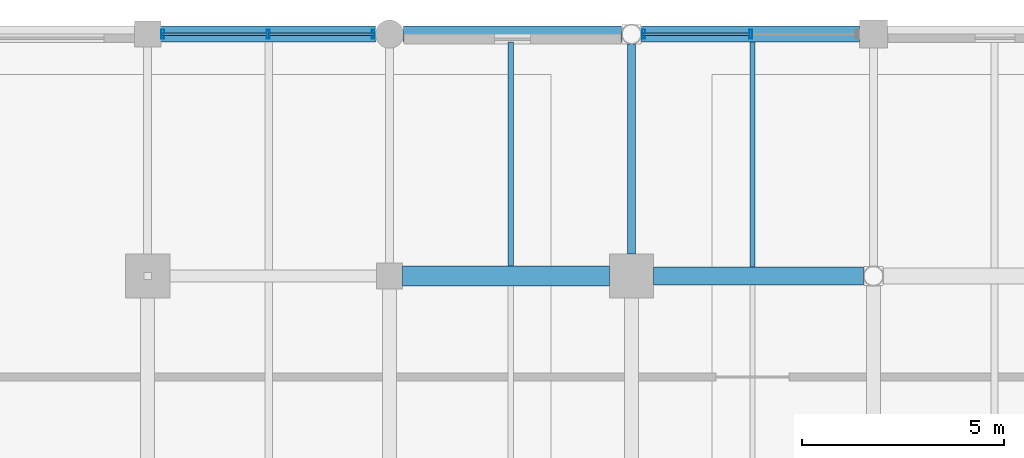
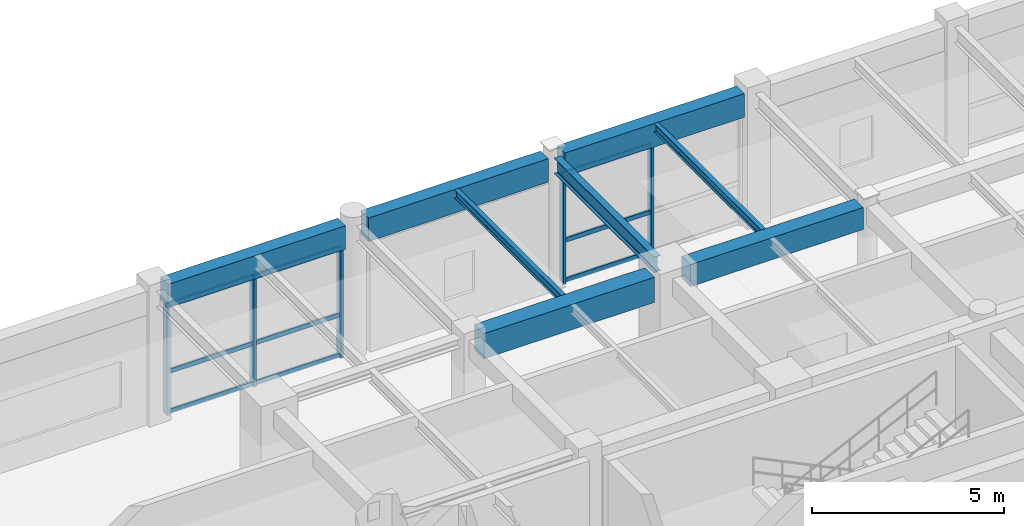
# One storey, part 44 of 116: 14 members, 8 beams, 2 elements without a shape of their own.
"""IFC4 building model written with IfcOpenShell, lengths in metres."""

import ifcopenshell
import ifcopenshell.guid

model = None  # the IFC model being written
_history = None  # IfcOwnerHistory: only IFC2X3 demands one
_inside = {}  # id of a spatial element -> (the spatial element, [elements in it])
_under = {}  # id of a project, library or spatial element -> (it, [spatial elements below it])
_declared = {}  # id of a project -> (the project, [libraries it declares])
_typed = {}  # id of a type object -> (the type object, [elements of that type])
_made_of = {}  # id of a material, layer set ... -> (it, [elements and type objects made of it])


def new_model(schema):
    """Start an empty IFC model of exactly this schema.

    Asked for "IFC4X3", IfcOpenShell would pick the latest addendum, in which some entities
    have other attributes; the version numbers below select the first issue.
    IFC2X3 requires an IfcOwnerHistory on every rooted entity: one is made here for all.
    """
    global model, _history
    if schema == "IFC4X3":
        model = ifcopenshell.file(schema_version=(4, 3, 0, 0))
    else:
        model = ifcopenshell.file(schema=schema)
    _inside.clear()
    _under.clear()
    _declared.clear()
    _typed.clear()
    _made_of.clear()
    _history = None
    if model.schema == "IFC2X3":
        org = make("IfcOrganization", Name="unknown")
        user = make(
            "IfcPersonAndOrganization",
            ThePerson=make("IfcPerson", FamilyName="unknown"),
            TheOrganization=org,
        )
        app = make(
            "IfcApplication",
            ApplicationDeveloper=org,
            Version="unknown",
            ApplicationFullName="unknown",
            ApplicationIdentifier="unknown",
        )
        _history = make(
            "IfcOwnerHistory",
            OwningUser=user,
            OwningApplication=app,
            ChangeAction="ADDED",
            CreationDate=0,
        )
    return model


def make(cls, **values):
    """One entity of the class cls with the attributes given. An attribute that is None is left unset."""
    return model.create_entity(
        cls, **{name: value for name, value in values.items() if value is not None}
    )


def rooted(cls, **values):
    """An entity with a GlobalId (a new one), such as an element, a storey or a relation."""
    return make(cls, GlobalId=ifcopenshell.guid.new(), OwnerHistory=_history, **values)


def si_unit(unit_type, name, prefix=None):
    """IfcSIUnit, for example si_unit("LENGTHUNIT", "METRE", prefix="MILLI")."""
    return make("IfcSIUnit", UnitType=unit_type, Prefix=prefix, Name=name)


def assignment(units):
    """IfcUnitAssignment: the units of a project."""
    return None if units is None else make("IfcUnitAssignment", Units=units)


def point(xyz):
    """IfcCartesianPoint."""
    return None if xyz is None else make("IfcCartesianPoint", Coordinates=xyz)


def direction(xyz):
    """IfcDirection."""
    return None if xyz is None else make("IfcDirection", DirectionRatios=xyz)


def frame(location, z_axis=None, x_axis=None):
    """IfcAxis2Placement3D, a coordinate frame: its origin and axes. An axis left out is left unset."""
    return make(
        "IfcAxis2Placement3D",
        Location=point(location),
        Axis=direction(z_axis),
        RefDirection=direction(x_axis),
    )


def frame_2d(location, x_axis=None):
    """IfcAxis2Placement2D, a coordinate frame in the plane: its origin and x axis."""
    return make(
        "IfcAxis2Placement2D", Location=point(location), RefDirection=direction(x_axis)
    )


def origin():
    """The frame at (0, 0, 0) with its axes left unset."""
    return frame((0.0, 0.0, 0.0))


def origin_2d():
    """The frame at (0, 0) in the plane with its x axis left unset."""
    return frame_2d((0.0, 0.0))


def place(relative_to, where):
    """IfcLocalPlacement: puts the frame where relative to a parent placement (None: the world)."""
    return make(
        "IfcLocalPlacement", PlacementRelTo=relative_to, RelativePlacement=where
    )


def context(
    kind, dimensions, precision=None, world=None, true_north=None, identifier=None
):
    """IfcGeometricRepresentationContext, for example the 3D "Model" context."""
    return make(
        "IfcGeometricRepresentationContext",
        ContextIdentifier=identifier,
        ContextType=kind,
        CoordinateSpaceDimension=dimensions,
        Precision=precision,
        WorldCoordinateSystem=world,
        TrueNorth=true_north,
    )


def subcontext(parent, identifier, kind, view, scale=None):
    """IfcGeometricRepresentationSubContext, for example "Body" below "Model"."""
    return make(
        "IfcGeometricRepresentationSubContext",
        ContextIdentifier=identifier,
        ContextType=kind,
        ParentContext=parent,
        TargetScale=scale,
        TargetView=view,
    )


def project(units=None, contexts=None):
    """IfcProject with its units and contexts."""
    return rooted(
        "IfcProject",
        Name="project",
        RepresentationContexts=contexts,
        UnitsInContext=assignment(units),
    )


def spatial(cls, under=None, at=None, **own):
    """A site, building, storey or space (cls), placed at a placement, below another one or the project."""
    s = rooted(cls, ObjectPlacement=at, **own)
    if under is not None:
        _under.setdefault(under.id(), (under, []))[1].append(s)
    return s


def profile(cls, at=None, kind="AREA", **sizes):
    """A parametric profile (cls). Its sizes go by their IFC names, for example OverallWidth=200.0."""
    return make(cls, ProfileType=kind, Position=at, **sizes)


def rectangle(**sizes):
    """IfcRectangleProfileDef."""
    return profile("IfcRectangleProfileDef", **sizes)


def hollow_rectangle(**sizes):
    """IfcRectangleHollowProfileDef."""
    return profile("IfcRectangleHollowProfileDef", **sizes)


def i_section(**sizes):
    """IfcIShapeProfileDef."""
    return profile("IfcIShapeProfileDef", **sizes)


def extrude(swept, where, along, depth):
    """IfcExtrudedAreaSolid: the profile swept, set in the frame where, extruded along a direction by depth."""
    return make(
        "IfcExtrudedAreaSolid",
        SweptArea=swept,
        Position=where,
        ExtrudedDirection=direction(along),
        Depth=depth,
    )


def shape(context_of_items, identifier, shape_type, items):
    """IfcShapeRepresentation: the items that make up one representation, for example the "Body"."""
    return make(
        "IfcShapeRepresentation",
        ContextOfItems=context_of_items,
        RepresentationIdentifier=identifier,
        RepresentationType=shape_type,
        Items=items,
    )


def material(Name=None, Category=None):
    """IfcMaterial."""
    return make("IfcMaterial", Name=Name, Category=Category)


def material_profile(
    of_material, cross_section, Name=None, Category=None, Priority=None
):
    """IfcMaterialProfile: a cross section and its material."""
    return make(
        "IfcMaterialProfile",
        Name=Name,
        Material=of_material,
        Profile=cross_section,
        Priority=Priority,
        Category=Category,
    )


def profile_set(profiles, Name=None, composite=None):
    """IfcMaterialProfileSet."""
    return make(
        "IfcMaterialProfileSet",
        Name=Name,
        MaterialProfiles=profiles,
        CompositeProfile=composite,
    )


def made_of(thing, what):
    """Note that an element or type object is made of a material, layer set ...; save() writes the relation."""
    if what is not None:
        _made_of.setdefault(what.id(), (what, []))[1].append(thing)
    return thing


def type_object(cls, material=None, **own):
    """A type object (cls), such as IfcWallType, which elements share."""
    return made_of(rooted(cls, **own), material)


def element(
    cls,
    number,
    at=None,
    inside=None,
    cuts=None,
    type_object=None,
    material=None,
    context=None,
    identifier="Body",
    shape_type=None,
    held_by="IfcProductDefinitionShape",
    body=None,
    shapes=None,
    **own,
):
    """One element of the class cls, such as IfcWall. Its Tag is "e" and its number.

    at: its placement. inside: the storey or other place that contains it. cuts: it is an
    opening in that element (IfcRelVoidsElement). A single representation is given by context,
    identifier, shape_type and body (its items); several are given by shapes. held_by: the class
    of the entity that holds the representations. save() writes the other relations.
    """
    e = rooted(cls, Tag="e%d" % number, ObjectPlacement=at, **own)
    if body is not None:
        shapes = [shape(context, identifier, shape_type, body)]
    if shapes is not None:
        e.Representation = make(held_by, Representations=shapes)
    if inside is not None:
        _inside.setdefault(inside.id(), (inside, []))[1].append(e)
    if cuts is not None:
        rooted(
            "IfcRelVoidsElement", RelatingBuildingElement=cuts, RelatedOpeningElement=e
        )
    if type_object is not None:
        _typed.setdefault(type_object.id(), (type_object, []))[1].append(e)
    return made_of(e, material)


def aggregate(whole, parts):
    """IfcRelAggregates: a whole, such as a stair, and the parts it consists of."""
    return rooted("IfcRelAggregates", RelatingObject=whole, RelatedObjects=parts)


def save(model, path):
    """Write the relations noted so far, then the file.

    IfcRelAggregates (storeys below a building ...), IfcRelContainedInSpatialStructure (elements
    in a storey), IfcRelDefinesByType, IfcRelAssociatesMaterial and IfcRelDeclares: one each for
    every whole, place, type object, material and project.
    """
    for whole, parts in _under.values():
        aggregate(whole, parts)
    for where, things in _inside.values():
        rooted(
            "IfcRelContainedInSpatialStructure",
            RelatedElements=things,
            RelatingStructure=where,
        )
    for kind, things in _typed.values():
        rooted("IfcRelDefinesByType", RelatedObjects=things, RelatingType=kind)
    for what, things in _made_of.values():
        rooted("IfcRelAssociatesMaterial", RelatedObjects=things, RelatingMaterial=what)
    for by, libraries in _declared.values():
        rooted("IfcRelDeclares", RelatingContext=by, RelatedDefinitions=libraries)
    model.write(path)


model = new_model("IFC4")

# Units and contexts
model_context = context("Model", 3, precision=1e-05, world=origin(), true_north=direction((0.0, 1.0)))
body_context = subcontext(model_context, "Body", "Model", "MODEL_VIEW")
ifc_project = project(units=[si_unit("LENGTHUNIT", "METRE"), si_unit("AREAUNIT", "SQUARE_METRE"), si_unit("VOLUMEUNIT", "CUBIC_METRE"), si_unit("PLANEANGLEUNIT", "RADIAN"), si_unit("MASSUNIT", "GRAM", prefix="KILO"), si_unit("THERMODYNAMICTEMPERATUREUNIT", "KELVIN"), si_unit("POWERUNIT", "WATT")], contexts=[model_context])

# Site, building, storey
site_placement = place(None, origin())
site = spatial("IfcSite", under=ifc_project, at=site_placement, CompositionType="ELEMENT")
building_placement = place(site_placement, origin())
building = spatial("IfcBuilding", under=site, at=building_placement, Name="Phaisarnlok Congress Hotel", CompositionType="ELEMENT")
storey_placement = place(building_placement, frame((0.0, 0.0, 10.5)))
storey = spatial("IfcBuildingStorey", under=building, at=storey_placement, Name="L02", CompositionType="ELEMENT", Elevation=10.5)

# Beams
ifc_material_1 = material(Name="Concrete C40/50", Category="concrete")
ifc_material_profile_1 = material_profile(ifc_material_1, rectangle(XDim=0.449951171875, YDim=0.699951171875, at=origin_2d()), Name="RC 450x700")
ifc_profile_set_1 = profile_set([ifc_material_profile_1], Name="Concrete C40/50")
beam_type_1 = type_object("IfcBeamType", Name="BM-RC-450x700", PredefinedType="BEAM", material=ifc_profile_set_1)
beam_1_placement = place(storey_placement, frame((108.544921875, 120.0, 3.889892578125), z_axis=(1.0, 0.0, 0.0), x_axis=(0.0, 1.0, 0.0)))
element("IfcBeam", 1, at=beam_1_placement, inside=storey, type_object=beam_type_1, Name="Beam B-03", PredefinedType="BEAM", context=body_context, shape_type="SweptSolid", body=[
    extrude(rectangle(XDim=0.449951171875, YDim=0.699951171875, at=origin_2d()), origin(), (0.0, 0.0, 1.0), 5.2060546875),
])
ifc_material_profile_2 = material_profile(ifc_material_1, rectangle(XDim=0.5, YDim=0.800048828125, at=origin_2d()), Name="RC 500x800")
ifc_profile_set_2 = profile_set([ifc_material_profile_2], Name="Concrete C40/50")
beam_type_2 = type_object("IfcBeamType", Name="BM-RC-500x800", PredefinedType="BEAM", material=ifc_profile_set_2)
beam_2_placement = place(storey_placement, frame((102.320068359375, 120.0, 3.840087890625), z_axis=(1.0, 0.0, 0.0), x_axis=(0.0, 1.0, 0.0)))
element("IfcBeam", 2, at=beam_2_placement, inside=storey, type_object=beam_type_2, Name="Beam B-04", PredefinedType="BEAM", context=body_context, shape_type="SweptSolid", body=[
    extrude(rectangle(XDim=0.5, YDim=0.800048828125, at=origin_2d()), origin(), (0.0, 0.0, 1.0), 5.135009765625),
])
ifc_material_2 = material(Name="Steel S355", Category="steel")
ifc_material_profile_3 = material_profile(ifc_material_2, i_section(OverallWidth=0.199951171875, OverallDepth=0.5, WebThickness=0.01025390625, FlangeThickness=0.01611328125, FilletRadius=0.02099609375, at=origin_2d()), Name="IPE 500")
ifc_profile_set_3 = profile_set([ifc_material_profile_3], Name="Steel S355")
beam_type_3 = type_object("IfcBeamType", Name="BM-STL-IPE500", PredefinedType="BEAM", material=ifc_profile_set_3)
beam_3_placement = place(storey_placement, frame((108.0, 120.544921875, 3.989990234375), z_axis=(0.0, 1.0, 0.0), x_axis=(-1.0, 0.0, 0.0)))
element("IfcBeam", 3, at=beam_3_placement, inside=storey, type_object=beam_type_3, Name="Beam SB-02", PredefinedType="BEAM", context=body_context, shape_type="SweptSolid", body=[
    extrude(i_section(OverallWidth=0.199951171875, OverallDepth=0.5, WebThickness=0.01025390625, FlangeThickness=0.01611328125, FilletRadius=0.02099609375, at=origin_2d()), origin(), (0.0, 0.0, 1.0), 5.2060546875),
])

# Curtain wall, members
ifc_material_3 = material(Name="Thermally Broken Unitised Aluminium & Low-E Glazing", Category="aluminium")
curtain_wall_type_1 = type_object("IfcCurtainWallType", Name="CW-UNIT-17", PredefinedType="NOTDEFINED", material=ifc_material_3)
curtain_wall_1_placement = place(storey_placement, origin())
curtain_wall_1 = element("IfcCurtainWall", 4, at=curtain_wall_1_placement, inside=storey, type_object=curtain_wall_type_1, Name="Unitised curtain wall CW-17 (L02)", PredefinedType="NOTDEFINED")
ifc_material_4 = material(Name="Anodised Aluminium Alloy 6063-T6", Category="aluminium")
ifc_material_profile_4 = material_profile(ifc_material_4, hollow_rectangle(XDim=0.074951171875, YDim=0.219970703125, WallThickness=0.0048828125, at=origin_2d()), Name="ALU-M 75x220x5")
ifc_profile_set_4 = profile_set([ifc_material_profile_4], Name="Anodised Aluminium Alloy 6063-T6")
member_type_1 = type_object("IfcMemberType", Name="CWM-220", PredefinedType="MULLION", material=ifc_profile_set_4)
member_1_placement = place(storey_placement, frame((110.951904296875, 126.0, 0.0), z_axis=(0.0, 0.0, 1.0), x_axis=(-1.0, 0.0, 0.0)))
member_1 = element("IfcMember", 5, at=member_1_placement, type_object=member_type_1, Name="Curtain wall mullion CWM-02", PredefinedType="MULLION", context=body_context, shape_type="SweptSolid", body=[
    extrude(hollow_rectangle(XDim=0.074951171875, YDim=0.219970703125, WallThickness=0.0048828125, at=origin_2d()), origin(), (0.0, 0.0, 1.0), 3.489990234375),
])
member_2_placement = place(storey_placement, frame((108.303955078125, 126.0, 0.0), z_axis=(0.0, 0.0, 1.0), x_axis=(-1.0, 0.0, 0.0)))
member_2 = element("IfcMember", 6, at=member_2_placement, type_object=member_type_1, Name="Curtain wall mullion CWM-02", PredefinedType="MULLION", context=body_context, shape_type="SweptSolid", body=[
    extrude(hollow_rectangle(XDim=0.074951171875, YDim=0.219970703125, WallThickness=0.0048828125, at=origin_2d()), origin(), (0.0, 0.0, 1.0), 3.489990234375),
])

curtain_wall_type_2 = type_object("IfcCurtainWallType", Name="CW-UNIT-16", PredefinedType="NOTDEFINED", material=ifc_material_3)
curtain_wall_2_placement = place(storey_placement, origin())
curtain_wall_2 = element("IfcCurtainWall", 7, at=curtain_wall_2_placement, inside=storey, type_object=curtain_wall_type_2, Name="Unitised curtain wall CW-16 (L02)", PredefinedType="NOTDEFINED")
member_3_placement = place(storey_placement, frame((101.60009765625, 126.0, 0.0), z_axis=(0.0, 0.0, 1.0), x_axis=(-1.0, 0.0, 0.0)))
member_3 = element("IfcMember", 8, at=member_3_placement, type_object=member_type_1, Name="Curtain wall mullion CWM-02", PredefinedType="MULLION", context=body_context, shape_type="SweptSolid", body=[
    extrude(hollow_rectangle(XDim=0.074951171875, YDim=0.219970703125, WallThickness=0.0048828125, at=origin_2d()), origin(), (0.0, 0.0, 1.0), 3.489990234375),
])
member_4_placement = place(storey_placement, frame((98.987548828125, 126.0, 0.0), z_axis=(0.0, 0.0, 1.0), x_axis=(-1.0, 0.0, 0.0)))
member_4 = element("IfcMember", 9, at=member_4_placement, type_object=member_type_1, Name="Curtain wall mullion CWM-02", PredefinedType="MULLION", context=body_context, shape_type="SweptSolid", body=[
    extrude(hollow_rectangle(XDim=0.074951171875, YDim=0.219970703125, WallThickness=0.0048828125, at=origin_2d()), origin(), (0.0, 0.0, 1.0), 3.489990234375),
])
member_5_placement = place(storey_placement, frame((96.375, 126.0, 0.0), z_axis=(0.0, 0.0, 1.0), x_axis=(-1.0, 0.0, 0.0)))
member_5 = element("IfcMember", 10, at=member_5_placement, type_object=member_type_1, Name="Curtain wall mullion CWM-02", PredefinedType="MULLION", context=body_context, shape_type="SweptSolid", body=[
    extrude(hollow_rectangle(XDim=0.074951171875, YDim=0.219970703125, WallThickness=0.0048828125, at=origin_2d()), origin(), (0.0, 0.0, 1.0), 3.489990234375),
])

# Member
ifc_material_profile_5 = material_profile(ifc_material_4, hollow_rectangle(XDim=0.06494140625, YDim=0.139892578125, WallThickness=0.00390625, at=origin_2d()), Name="ALU-T 65x140x4")
ifc_profile_set_5 = profile_set([ifc_material_profile_5], Name="Anodised Aluminium Alloy 6063-T6")
member_type_2 = type_object("IfcMemberType", Name="CWT-150", PredefinedType="USERDEFINED", material=ifc_profile_set_5)
member_6_placement = place(storey_placement, frame((110.93701171875, 126.0, 0.050048828125), z_axis=(-1.0, 0.0, 0.0), x_axis=(0.0, -1.0, 0.0)))
member_6 = element("IfcMember", 11, at=member_6_placement, type_object=member_type_2, Name="Curtain wall transom CWT-01", ObjectType="TRANSOM", PredefinedType="USERDEFINED", context=body_context, shape_type="SweptSolid", body=[
    extrude(hollow_rectangle(XDim=0.06494140625, YDim=0.139892578125, WallThickness=0.00390625, at=origin_2d()), origin(), (0.0, 0.0, 1.0), 2.657958984375),
])

member_7_placement = place(storey_placement, frame((110.93701171875, 126.0, 1.326171875), z_axis=(-1.0, 0.0, 0.0), x_axis=(0.0, -1.0, 0.0)))
member_7 = element("IfcMember", 12, at=member_7_placement, type_object=member_type_2, Name="Curtain wall transom CWT-01", ObjectType="TRANSOM", PredefinedType="USERDEFINED", context=body_context, shape_type="SweptSolid", body=[
    extrude(hollow_rectangle(XDim=0.06494140625, YDim=0.139892578125, WallThickness=0.00390625, at=origin_2d()), origin(), (0.0, 0.0, 1.0), 2.657958984375),
])

member_8_placement = place(storey_placement, frame((110.93701171875, 126.0, 3.43994140625), z_axis=(-1.0, 0.0, 0.0), x_axis=(0.0, -1.0, 0.0)))
member_8 = element("IfcMember", 13, at=member_8_placement, type_object=member_type_2, Name="Curtain wall transom CWT-01", ObjectType="TRANSOM", PredefinedType="USERDEFINED", context=body_context, shape_type="SweptSolid", body=[
    extrude(hollow_rectangle(XDim=0.06494140625, YDim=0.139892578125, WallThickness=0.00390625, at=origin_2d()), origin(), (0.0, 0.0, 1.0), 2.657958984375),
])

aggregate(curtain_wall_1, [member_1, member_2, member_6, member_7, member_8])

member_9_placement = place(storey_placement, frame((101.625, 126.0, 0.050048828125), z_axis=(-1.0, 0.0, 0.0), x_axis=(0.0, -1.0, 0.0)))
member_9 = element("IfcMember", 14, at=member_9_placement, type_object=member_type_2, Name="Curtain wall transom CWT-01", ObjectType="TRANSOM", PredefinedType="USERDEFINED", context=body_context, shape_type="SweptSolid", body=[
    extrude(hollow_rectangle(XDim=0.06494140625, YDim=0.139892578125, WallThickness=0.00390625, at=origin_2d()), origin(), (0.0, 0.0, 1.0), 2.62255859375),
])

member_10_placement = place(storey_placement, frame((101.625, 126.0, 1.326171875), z_axis=(-1.0, 0.0, 0.0), x_axis=(0.0, -1.0, 0.0)))
member_10 = element("IfcMember", 15, at=member_10_placement, type_object=member_type_2, Name="Curtain wall transom CWT-01", ObjectType="TRANSOM", PredefinedType="USERDEFINED", context=body_context, shape_type="SweptSolid", body=[
    extrude(hollow_rectangle(XDim=0.06494140625, YDim=0.139892578125, WallThickness=0.00390625, at=origin_2d()), origin(), (0.0, 0.0, 1.0), 2.62255859375),
])

member_11_placement = place(storey_placement, frame((101.625, 126.0, 3.43994140625), z_axis=(-1.0, 0.0, 0.0), x_axis=(0.0, -1.0, 0.0)))
member_11 = element("IfcMember", 16, at=member_11_placement, type_object=member_type_2, Name="Curtain wall transom CWT-01", ObjectType="TRANSOM", PredefinedType="USERDEFINED", context=body_context, shape_type="SweptSolid", body=[
    extrude(hollow_rectangle(XDim=0.06494140625, YDim=0.139892578125, WallThickness=0.00390625, at=origin_2d()), origin(), (0.0, 0.0, 1.0), 2.62255859375),
])

member_12_placement = place(storey_placement, frame((98.972412109375, 126.0, 0.050048828125), z_axis=(-1.0, 0.0, 0.0), x_axis=(0.0, -1.0, 0.0)))
member_12 = element("IfcMember", 17, at=member_12_placement, type_object=member_type_2, Name="Curtain wall transom CWT-01", ObjectType="TRANSOM", PredefinedType="USERDEFINED", context=body_context, shape_type="SweptSolid", body=[
    extrude(hollow_rectangle(XDim=0.06494140625, YDim=0.139892578125, WallThickness=0.00390625, at=origin_2d()), origin(), (0.0, 0.0, 1.0), 2.622314453125),
])

member_13_placement = place(storey_placement, frame((98.972412109375, 126.0, 1.326171875), z_axis=(-1.0, 0.0, 0.0), x_axis=(0.0, -1.0, 0.0)))
member_13 = element("IfcMember", 18, at=member_13_placement, type_object=member_type_2, Name="Curtain wall transom CWT-01", ObjectType="TRANSOM", PredefinedType="USERDEFINED", context=body_context, shape_type="SweptSolid", body=[
    extrude(hollow_rectangle(XDim=0.06494140625, YDim=0.139892578125, WallThickness=0.00390625, at=origin_2d()), origin(), (0.0, 0.0, 1.0), 2.622314453125),
])

member_14_placement = place(storey_placement, frame((98.972412109375, 126.0, 3.43994140625), z_axis=(-1.0, 0.0, 0.0), x_axis=(0.0, -1.0, 0.0)))
member_14 = element("IfcMember", 19, at=member_14_placement, type_object=member_type_2, Name="Curtain wall transom CWT-01", ObjectType="TRANSOM", PredefinedType="USERDEFINED", context=body_context, shape_type="SweptSolid", body=[
    extrude(hollow_rectangle(XDim=0.06494140625, YDim=0.139892578125, WallThickness=0.00390625, at=origin_2d()), origin(), (0.0, 0.0, 1.0), 2.622314453125),
])

aggregate(curtain_wall_2, [member_3, member_4, member_5, member_9, member_10, member_11, member_12, member_13, member_14])

# Beams
ifc_material_profile_6 = material_profile(ifc_material_2, i_section(OverallWidth=0.135009765625, OverallDepth=0.27001953125, WebThickness=0.006591796875, FlangeThickness=0.01025390625, FilletRadius=0.014892578125, at=origin_2d()), Name="IPE 270")
ifc_profile_set_6 = profile_set([ifc_material_profile_6], Name="Steel S355")
beam_type_4 = type_object("IfcBeamType", Name="JS-STL-IPE270", PredefinedType="JOIST", material=ifc_profile_set_6)
beam_4_placement = place(storey_placement, frame((105.0, 120.2451171875, 4.10498046875), z_axis=(0.0, 1.0, 0.0), x_axis=(-1.0, 0.0, 0.0)))
element("IfcBeam", 20, at=beam_4_placement, inside=storey, type_object=beam_type_4, Name="Secondary floor joist J-02", PredefinedType="JOIST", context=body_context, shape_type="SweptSolid", body=[
    extrude(i_section(OverallWidth=0.135009765625, OverallDepth=0.27001953125, WebThickness=0.006591796875, FlangeThickness=0.01025390625, FilletRadius=0.014892578125, at=origin_2d()), origin(), (0.0, 0.0, 1.0), 5.559814453125),
])
beam_5_placement = place(storey_placement, frame((111.0, 120.219970703125, 4.10498046875), z_axis=(0.0, 1.0, 0.0), x_axis=(-1.0, 0.0, 0.0)))
element("IfcBeam", 21, at=beam_5_placement, inside=storey, type_object=beam_type_4, Name="Secondary floor joist J-02", PredefinedType="JOIST", context=body_context, shape_type="SweptSolid", body=[
    extrude(i_section(OverallWidth=0.135009765625, OverallDepth=0.27001953125, WebThickness=0.006591796875, FlangeThickness=0.01025390625, FilletRadius=0.014892578125, at=origin_2d()), origin(), (0.0, 0.0, 1.0), 5.5849609375),
])
ifc_material_profile_7 = material_profile(ifc_material_1, rectangle(XDim=0.39990234375, YDim=0.75, at=origin_2d()), Name="RC 400x750")
ifc_profile_set_7 = profile_set([ifc_material_profile_7], Name="Concrete C40/50")
beam_type_5 = type_object("IfcBeamType", Name="SP-RC-400x750", PredefinedType="SPANDREL", material=ifc_profile_set_7)
beam_6_placement = place(storey_placement, frame((96.320068359375, 126.0, 3.864990234375), z_axis=(1.0, 0.0, 0.0), x_axis=(0.0, 1.0, 0.0)))
element("IfcBeam", 22, at=beam_6_placement, inside=storey, type_object=beam_type_5, Name="Beam SP-02", PredefinedType="SPANDREL", context=body_context, shape_type="SweptSolid", body=[
    extrude(rectangle(XDim=0.39990234375, YDim=0.75, at=origin_2d()), origin(), (0.0, 0.0, 1.0), 5.3349609375),
])
for number, where, z_axis, x_axis, name in (
    (23, (102.344970703125, 126.0, 3.864990234375), (1.0, 0.0, 0.0), (0.0, 1.0, 0.0), "Beam SP-02"),
    (24, (108.2490234375, 126.0, 3.864990234375), (1.0, 0.0, 0.0), (0.0, 1.0, 0.0), "Beam SP-02"),
):
    element("IfcBeam", number, at=place(storey_placement, frame(where, z_axis=z_axis, x_axis=x_axis)), inside=storey, type_object=beam_type_5, Name=name, PredefinedType="SPANDREL", context=body_context, shape_type="SweptSolid", body=[
        extrude(rectangle(XDim=0.39990234375, YDim=0.75, at=origin_2d()), origin(), (0.0, 0.0, 1.0), 5.406005859375),
    ])

save(model, "model.ifc")
